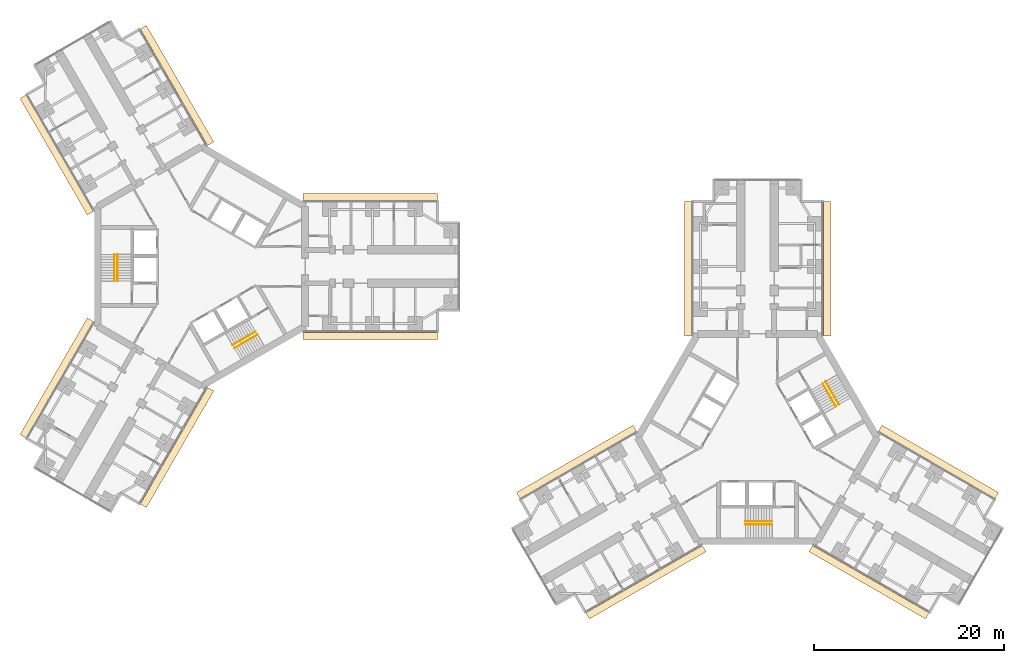
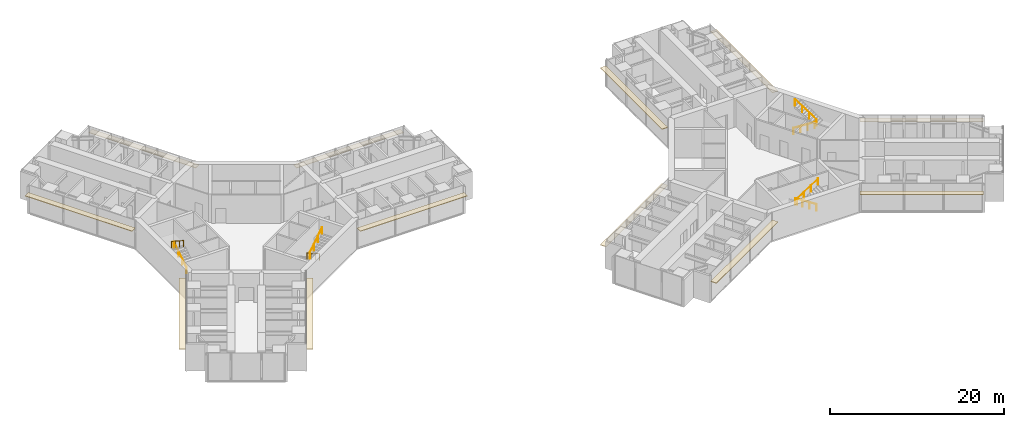
# One storey, part 22 of 22: 12 coverings, 8 railings.
"""IFC4 building model written with IfcOpenShell, lengths in metres."""

from ifc_helpers import new_model, si_unit, direction, frame, origin, origin_2d, place, context, subcontext, project, spatial, rectangle, circle, extrude, material, layer, layer_set, type_object, element, save


model = new_model("IFC4")

# Units and contexts
model_context = context("Model", 3, precision=1e-05, world=origin(), true_north=direction((0.0, 1.0)))
body_context = subcontext(model_context, "Body", "Model", "MODEL_VIEW")
ifc_project = project(units=[si_unit("LENGTHUNIT", "METRE"), si_unit("AREAUNIT", "SQUARE_METRE"), si_unit("VOLUMEUNIT", "CUBIC_METRE"), si_unit("PLANEANGLEUNIT", "RADIAN"), si_unit("MASSUNIT", "GRAM", prefix="KILO")], contexts=[model_context])

# Site, building, storey
site_placement = place(None, origin())
site = spatial("IfcSite", under=ifc_project, at=site_placement, CompositionType="ELEMENT")
building_placement = place(site_placement, origin())
building = spatial("IfcBuilding", under=site, at=building_placement, Name="Upepo Twin Towers", CompositionType="ELEMENT")
storey_placement = place(building_placement, frame((0.0, 0.0, 44.5)))
storey = spatial("IfcBuildingStorey", under=building, at=storey_placement, Name="L10", CompositionType="ELEMENT", Elevation=44.5)

# Coverings
ifc_material_1 = material(Name="Anodised aluminium, pale silver", Category="aluminium")
ifc_layer = layer(ifc_material_1, 0.080078125)
ifc_layer_set = layer_set([ifc_layer], Name="Brise-soleil blade 750 pale aluminium")
covering_type = type_object("IfcCoveringType", Name="Brise-soleil blade 750 pale aluminium", PredefinedType="USERDEFINED", material=ifc_layer_set)
for number, where, z_axis, x_axis, name in (
    (1, (17.7685546875, 7.304931640625, 2.909912109375), (0.0, 0.0, 1.0), (1.0, 0.0, 0.0), "T1 L10 wing A brise-soleil L"),
    (2, (17.7685546875, -7.304931640625, 2.909912109375), (0.0, 0.0, 1.0), (1.0, 0.0, 0.0), "T1 L10 wing A brise-soleil R"),
    (3, (-15.210693359375, 11.735595703125, 2.909912109375), (0.0, 0.0, 1.0), (-0.50000003023, 0.866025386331, 0.0), "T1 L10 wing B brise-soleil L"),
    (4, (-2.557861328125, 19.04052734375, 2.909912109375), (0.0, 0.0, 1.0), (-0.49999996977, 0.866025421238, 0.0), "T1 L10 wing B brise-soleil R"),
    (5, (-2.557861328125, -19.04052734375, 2.909912109375), (0.0, 0.0, 1.0), (-0.49999996977, -0.866025421238, 0.0), "T1 L10 wing C brise-soleil L"),
    (6, (-15.210693359375, -11.735595703125, 2.909912109375), (0.0, 0.0, 1.0), (-0.50000003023, -0.866025386331, 0.0), "T1 L10 wing C brise-soleil R"),
    (7, (51.195068359375, -0.2314453125, 2.909912109375), (0.0, 0.0, 1.0), (0.0, 1.0, 0.0), "T2 L10 wing A brise-soleil L"),
    (8, (65.804931640625, -0.2314453125, 2.909912109375), (0.0, 0.0, 1.0), (0.0, 1.0, 0.0), "T2 L10 wing A brise-soleil R"),
    (9, (46.764404296875, -33.210693359375, 2.909912109375), (0.0, 0.0, 1.0), (-0.866025386331, -0.50000003023, 0.0), "T2 L10 wing B brise-soleil L"),
    (10, (39.45947265625, -20.557861328125, 2.909912109375), (0.0, 0.0, 1.0), (-0.866025421238, -0.49999996977, 0.0), "T2 L10 wing B brise-soleil R"),
    (11, (77.54052734375, -20.557861328125, 2.909912109375), (0.0, 0.0, 1.0), (0.866025421238, -0.49999996977, 0.0), "T2 L10 wing C brise-soleil L"),
    (12, (70.235595703125, -33.210693359375, 2.909912109375), (0.0, 0.0, 1.0), (0.866025386331, -0.50000003023, 0.0), "T2 L10 wing C brise-soleil R"),
):
    element("IfcCovering", number, at=place(storey_placement, frame(where, z_axis=z_axis, x_axis=x_axis)), inside=storey, type_object=covering_type, Name=name, ObjectType="SUNSHADE", PredefinedType="USERDEFINED", context=body_context, shape_type="SweptSolid", body=[
        extrude(rectangle(XDim=14.162841796875, YDim=0.75, at=origin_2d()), origin(), (0.0, 0.0, 1.0), 0.080078125),
    ])

# Railings
ifc_material_2 = material(Name="Stainless steel", Category="steel")
railing_type = type_object("IfcRailingType", Name="Stair handrail 900", PredefinedType="HANDRAIL", material=ifc_material_2)
railing_1_placement = place(storey_placement, frame((-8.800048828125, -1.52001953125, 0.181884765625)))
element("IfcRailing", 13, at=railing_1_placement, inside=storey, type_object=railing_type, Name="T1 stair S1 L10 handrail 1", PredefinedType="HANDRAIL", context=body_context, shape_type="SweptSolid", body=[
    extrude(circle(Radius=0.02392578125, at=origin_2d()), frame((0.0, 0.0, 0.8759765625), z_axis=(0.0, 0.838705829183, 0.544584733623), x_axis=(-1.0, 0.0, 0.0)), (0.0, 0.0, 1.0), 3.338623046875),
    extrude(circle(Radius=0.02099609375, at=origin_2d()), origin(), (0.0, 0.0, 1.0), 0.851806640625),
    extrude(circle(Radius=0.02099609375, at=origin_2d()), frame((0.0, 0.933349609375, 0.60595703125)), (0.0, 0.0, 1.0), 0.851806640625),
    extrude(circle(Radius=0.02099609375, at=origin_2d()), frame((0.0, 1.86669921875, 1.212158203125)), (0.0, 0.0, 1.0), 0.851806640625),
    extrude(circle(Radius=0.02099609375, at=origin_2d()), frame((0.0, 2.800048828125, 1.818115234375)), (0.0, 0.0, 1.0), 0.851806640625),
])
railing_2_placement = place(storey_placement, frame((-9.158447265625, 1.280029296875, 2.181884765625)))
element("IfcRailing", 14, at=railing_2_placement, inside=storey, type_object=railing_type, Name="T1 stair S1 L10 handrail 2", PredefinedType="HANDRAIL", context=body_context, shape_type="SweptSolid", body=[
    extrude(circle(Radius=0.02392578125, at=origin_2d()), frame((0.0, 0.0, 0.8759765625), z_axis=(0.0, -0.838705829183, 0.544584733623), x_axis=(1.0, 0.0, 0.0)), (0.0, 0.0, 1.0), 3.338623046875),
    extrude(circle(Radius=0.02099609375, at=origin_2d()), origin(), (0.0, 0.0, 1.0), 0.851806640625),
    extrude(circle(Radius=0.02099609375, at=origin_2d()), frame((0.0, -0.933349609375, 0.60595703125)), (0.0, 0.0, 1.0), 0.851806640625),
    extrude(circle(Radius=0.02099609375, at=origin_2d()), frame((0.0, -1.86669921875, 1.212158203125)), (0.0, 0.0, 1.0), 0.851806640625),
    extrude(circle(Radius=0.02099609375, at=origin_2d()), frame((0.0, -2.800048828125, 1.818115234375)), (0.0, 0.0, 1.0), 0.851806640625),
])
railing_3_placement = place(storey_placement, frame((5.71630859375, -6.861083984375, 0.181884765625)))
element("IfcRailing", 15, at=railing_3_placement, inside=storey, type_object=railing_type, Name="T1 stair S2 L10 handrail 1", PredefinedType="HANDRAIL", context=body_context, shape_type="SweptSolid", body=[
    extrude(circle(Radius=0.02392578125, at=origin_2d()), frame((0.0, 0.0, 0.8759765625), z_axis=(-0.726336304947, -0.419332699614, 0.544605966869), x_axis=(0.49998411664, -0.866034573852, 0.0)), (0.0, 0.0, 1.0), 3.33837890625),
    extrude(circle(Radius=0.02099609375, at=origin_2d()), origin(), (0.0, 0.0, 1.0), 0.851806640625),
    extrude(circle(Radius=0.02099609375, at=origin_2d()), frame((-0.808349609375, -0.466552734375, 0.60595703125)), (0.0, 0.0, 1.0), 0.851806640625),
    extrude(circle(Radius=0.02099609375, at=origin_2d()), frame((-1.616455078125, -0.933349609375, 1.212158203125)), (0.0, 0.0, 1.0), 0.851806640625),
    extrude(circle(Radius=0.02099609375, at=origin_2d()), frame((-2.4248046875, -1.39990234375, 1.818115234375)), (0.0, 0.0, 1.0), 0.851806640625),
])
railing_4_placement = place(storey_placement, frame((3.470703125, -8.5712890625, 2.181884765625)))
element("IfcRailing", 16, at=railing_4_placement, inside=storey, type_object=railing_type, Name="T1 stair S2 L10 handrail 2", PredefinedType="HANDRAIL", context=body_context, shape_type="SweptSolid", body=[
    extrude(circle(Radius=0.02392578125, at=origin_2d()), frame((0.0, 0.0, 0.8759765625), z_axis=(0.726336304947, 0.419332699614, 0.544605966869), x_axis=(-0.49998411664, 0.866034573852, 0.0)), (0.0, 0.0, 1.0), 3.33837890625),
    extrude(circle(Radius=0.02099609375, at=origin_2d()), origin(), (0.0, 0.0, 1.0), 0.851806640625),
    extrude(circle(Radius=0.02099609375, at=origin_2d()), frame((0.808349609375, 0.466552734375, 0.60595703125)), (0.0, 0.0, 1.0), 0.851806640625),
    extrude(circle(Radius=0.02099609375, at=origin_2d()), frame((1.616455078125, 0.933349609375, 1.212158203125)), (0.0, 0.0, 1.0), 0.851806640625),
    extrude(circle(Radius=0.02099609375, at=origin_2d()), frame((2.4248046875, 1.39990234375, 1.818115234375)), (0.0, 0.0, 1.0), 0.851806640625),
])
railing_5_placement = place(storey_placement, frame((60.02001953125, -26.800048828125, 0.181884765625)))
element("IfcRailing", 17, at=railing_5_placement, inside=storey, type_object=railing_type, Name="T2 stair S1 L10 handrail 1", PredefinedType="HANDRAIL", context=body_context, shape_type="SweptSolid", body=[
    extrude(circle(Radius=0.02392578125, at=origin_2d()), frame((0.0, 0.0, 0.8759765625), z_axis=(-0.838705829183, 0.0, 0.544584733623), x_axis=(0.0, -1.0, 0.0)), (0.0, 0.0, 1.0), 3.338623046875),
    extrude(circle(Radius=0.02099609375, at=origin_2d()), origin(), (0.0, 0.0, 1.0), 0.851806640625),
    extrude(circle(Radius=0.02099609375, at=origin_2d()), frame((-0.933349609375, 0.0, 0.60595703125)), (0.0, 0.0, 1.0), 0.851806640625),
    extrude(circle(Radius=0.02099609375, at=origin_2d()), frame((-1.86669921875, 0.0, 1.212158203125)), (0.0, 0.0, 1.0), 0.851806640625),
    extrude(circle(Radius=0.02099609375, at=origin_2d()), frame((-2.800048828125, 0.0, 1.818115234375)), (0.0, 0.0, 1.0), 0.851806640625),
])
railing_6_placement = place(storey_placement, frame((57.219970703125, -27.158447265625, 2.181884765625)))
element("IfcRailing", 18, at=railing_6_placement, inside=storey, type_object=railing_type, Name="T2 stair S1 L10 handrail 2", PredefinedType="HANDRAIL", context=body_context, shape_type="SweptSolid", body=[
    extrude(circle(Radius=0.02392578125, at=origin_2d()), frame((0.0, 0.0, 0.8759765625), z_axis=(0.838705829183, 0.0, 0.544584733623), x_axis=(0.0, 1.0, 0.0)), (0.0, 0.0, 1.0), 3.338623046875),
    extrude(circle(Radius=0.02099609375, at=origin_2d()), origin(), (0.0, 0.0, 1.0), 0.851806640625),
    extrude(circle(Radius=0.02099609375, at=origin_2d()), frame((0.933349609375, 0.0, 0.60595703125)), (0.0, 0.0, 1.0), 0.851806640625),
    extrude(circle(Radius=0.02099609375, at=origin_2d()), frame((1.86669921875, 0.0, 1.212158203125)), (0.0, 0.0, 1.0), 0.851806640625),
    extrude(circle(Radius=0.02099609375, at=origin_2d()), frame((2.800048828125, 0.0, 1.818115234375)), (0.0, 0.0, 1.0), 0.851806640625),
])
railing_7_placement = place(storey_placement, frame((65.361083984375, -12.28369140625, 0.181884765625)))
element("IfcRailing", 19, at=railing_7_placement, inside=storey, type_object=railing_type, Name="T2 stair S2 L10 handrail 1", PredefinedType="HANDRAIL", context=body_context, shape_type="SweptSolid", body=[
    extrude(circle(Radius=0.02392578125, at=origin_2d()), frame((0.0, 0.0, 0.8759765625), z_axis=(0.419332699614, -0.726336304947, 0.544605966869), x_axis=(0.866034573852, 0.49998411664, 0.0)), (0.0, 0.0, 1.0), 3.33837890625),
    extrude(circle(Radius=0.02099609375, at=origin_2d()), origin(), (0.0, 0.0, 1.0), 0.851806640625),
    extrude(circle(Radius=0.02099609375, at=origin_2d()), frame((0.466552734375, -0.808349609375, 0.60595703125)), (0.0, 0.0, 1.0), 0.851806640625),
    extrude(circle(Radius=0.02099609375, at=origin_2d()), frame((0.933349609375, -1.616455078125, 1.212158203125)), (0.0, 0.0, 1.0), 0.851806640625),
    extrude(circle(Radius=0.02099609375, at=origin_2d()), frame((1.39990234375, -2.4248046875, 1.818115234375)), (0.0, 0.0, 1.0), 0.851806640625),
])
railing_8_placement = place(storey_placement, frame((67.0712890625, -14.529296875, 2.181884765625)))
element("IfcRailing", 20, at=railing_8_placement, inside=storey, type_object=railing_type, Name="T2 stair S2 L10 handrail 2", PredefinedType="HANDRAIL", context=body_context, shape_type="SweptSolid", body=[
    extrude(circle(Radius=0.02392578125, at=origin_2d()), frame((0.0, 0.0, 0.8759765625), z_axis=(-0.419332699614, 0.726336304947, 0.544605966869), x_axis=(-0.866034573852, -0.49998411664, 0.0)), (0.0, 0.0, 1.0), 3.33837890625),
    extrude(circle(Radius=0.02099609375, at=origin_2d()), origin(), (0.0, 0.0, 1.0), 0.851806640625),
    extrude(circle(Radius=0.02099609375, at=origin_2d()), frame((-0.466552734375, 0.808349609375, 0.60595703125)), (0.0, 0.0, 1.0), 0.851806640625),
    extrude(circle(Radius=0.02099609375, at=origin_2d()), frame((-0.933349609375, 1.616455078125, 1.212158203125)), (0.0, 0.0, 1.0), 0.851806640625),
    extrude(circle(Radius=0.02099609375, at=origin_2d()), frame((-1.39990234375, 2.4248046875, 1.818115234375)), (0.0, 0.0, 1.0), 0.851806640625),
])

save(model, "model.ifc")
